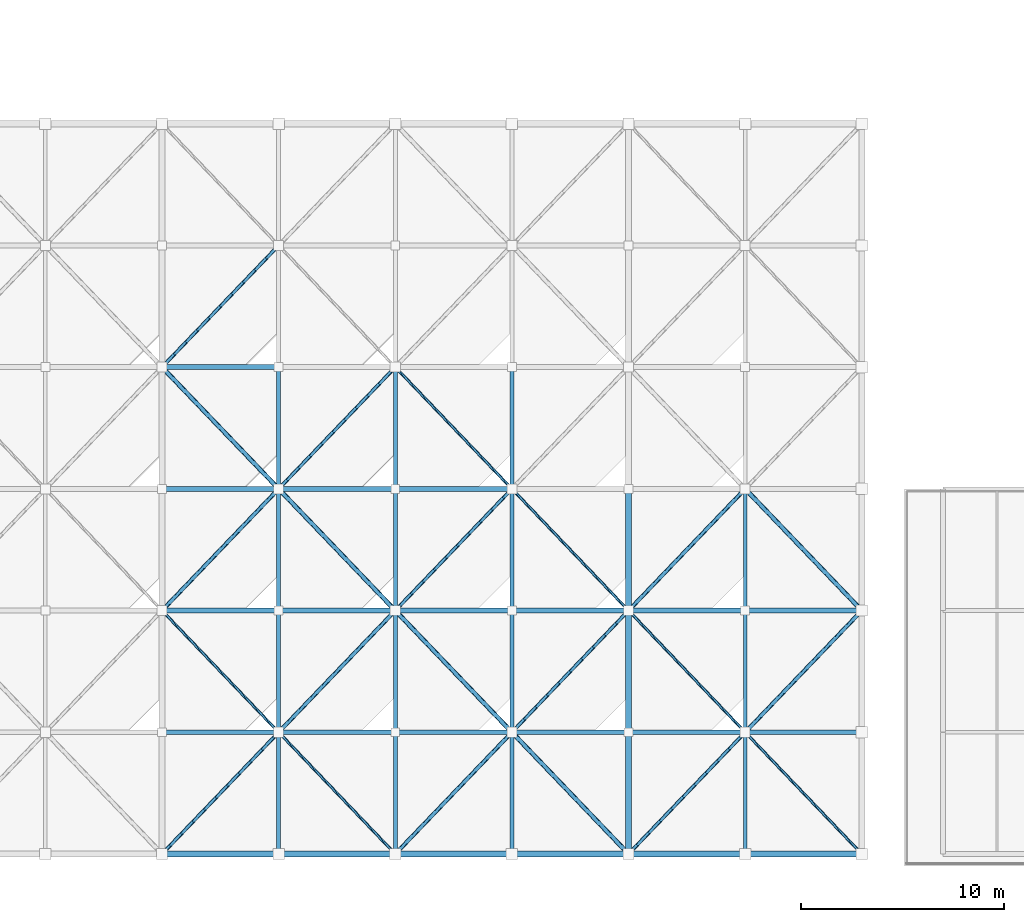
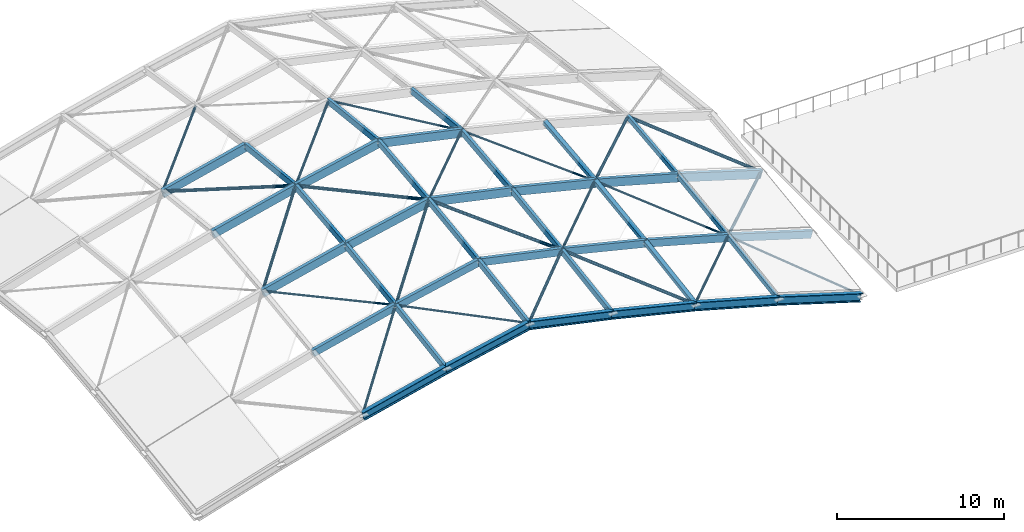
# One storey, part 12 of 62: 56 members, 6 beams.
"""IFC4 building model written with IfcOpenShell, lengths in metres."""

import ifcopenshell
import ifcopenshell.guid

model = None  # the IFC model being written
_history = None  # IfcOwnerHistory: only IFC2X3 demands one
_inside = {}  # id of a spatial element -> (the spatial element, [elements in it])
_under = {}  # id of a project, library or spatial element -> (it, [spatial elements below it])
_declared = {}  # id of a project -> (the project, [libraries it declares])
_typed = {}  # id of a type object -> (the type object, [elements of that type])
_made_of = {}  # id of a material, layer set ... -> (it, [elements and type objects made of it])


def new_model(schema):
    """Start an empty IFC model of exactly this schema.

    Asked for "IFC4X3", IfcOpenShell would pick the latest addendum, in which some entities
    have other attributes; the version numbers below select the first issue.
    IFC2X3 requires an IfcOwnerHistory on every rooted entity: one is made here for all.
    """
    global model, _history
    if schema == "IFC4X3":
        model = ifcopenshell.file(schema_version=(4, 3, 0, 0))
    else:
        model = ifcopenshell.file(schema=schema)
    _inside.clear()
    _under.clear()
    _declared.clear()
    _typed.clear()
    _made_of.clear()
    _history = None
    if model.schema == "IFC2X3":
        org = make("IfcOrganization", Name="unknown")
        user = make(
            "IfcPersonAndOrganization",
            ThePerson=make("IfcPerson", FamilyName="unknown"),
            TheOrganization=org,
        )
        app = make(
            "IfcApplication",
            ApplicationDeveloper=org,
            Version="unknown",
            ApplicationFullName="unknown",
            ApplicationIdentifier="unknown",
        )
        _history = make(
            "IfcOwnerHistory",
            OwningUser=user,
            OwningApplication=app,
            ChangeAction="ADDED",
            CreationDate=0,
        )
    return model


def make(cls, **values):
    """One entity of the class cls with the attributes given. An attribute that is None is left unset."""
    return model.create_entity(
        cls, **{name: value for name, value in values.items() if value is not None}
    )


def rooted(cls, **values):
    """An entity with a GlobalId (a new one), such as an element, a storey or a relation."""
    return make(cls, GlobalId=ifcopenshell.guid.new(), OwnerHistory=_history, **values)


def si_unit(unit_type, name, prefix=None):
    """IfcSIUnit, for example si_unit("LENGTHUNIT", "METRE", prefix="MILLI")."""
    return make("IfcSIUnit", UnitType=unit_type, Prefix=prefix, Name=name)


def assignment(units):
    """IfcUnitAssignment: the units of a project."""
    return None if units is None else make("IfcUnitAssignment", Units=units)


def point(xyz):
    """IfcCartesianPoint."""
    return None if xyz is None else make("IfcCartesianPoint", Coordinates=xyz)


def direction(xyz):
    """IfcDirection."""
    return None if xyz is None else make("IfcDirection", DirectionRatios=xyz)


def frame(location, z_axis=None, x_axis=None):
    """IfcAxis2Placement3D, a coordinate frame: its origin and axes. An axis left out is left unset."""
    return make(
        "IfcAxis2Placement3D",
        Location=point(location),
        Axis=direction(z_axis),
        RefDirection=direction(x_axis),
    )


def frame_2d(location, x_axis=None):
    """IfcAxis2Placement2D, a coordinate frame in the plane: its origin and x axis."""
    return make(
        "IfcAxis2Placement2D", Location=point(location), RefDirection=direction(x_axis)
    )


def origin():
    """The frame at (0, 0, 0) with its axes left unset."""
    return frame((0.0, 0.0, 0.0))


def origin_2d():
    """The frame at (0, 0) in the plane with its x axis left unset."""
    return frame_2d((0.0, 0.0))


def place(relative_to, where):
    """IfcLocalPlacement: puts the frame where relative to a parent placement (None: the world)."""
    return make(
        "IfcLocalPlacement", PlacementRelTo=relative_to, RelativePlacement=where
    )


def context(
    kind, dimensions, precision=None, world=None, true_north=None, identifier=None
):
    """IfcGeometricRepresentationContext, for example the 3D "Model" context."""
    return make(
        "IfcGeometricRepresentationContext",
        ContextIdentifier=identifier,
        ContextType=kind,
        CoordinateSpaceDimension=dimensions,
        Precision=precision,
        WorldCoordinateSystem=world,
        TrueNorth=true_north,
    )


def subcontext(parent, identifier, kind, view, scale=None):
    """IfcGeometricRepresentationSubContext, for example "Body" below "Model"."""
    return make(
        "IfcGeometricRepresentationSubContext",
        ContextIdentifier=identifier,
        ContextType=kind,
        ParentContext=parent,
        TargetScale=scale,
        TargetView=view,
    )


def project(units=None, contexts=None):
    """IfcProject with its units and contexts."""
    return rooted(
        "IfcProject",
        Name="project",
        RepresentationContexts=contexts,
        UnitsInContext=assignment(units),
    )


def spatial(cls, under=None, at=None, **own):
    """A site, building, storey or space (cls), placed at a placement, below another one or the project."""
    s = rooted(cls, ObjectPlacement=at, **own)
    if under is not None:
        _under.setdefault(under.id(), (under, []))[1].append(s)
    return s


def profile(cls, at=None, kind="AREA", **sizes):
    """A parametric profile (cls). Its sizes go by their IFC names, for example OverallWidth=200.0."""
    return make(cls, ProfileType=kind, Position=at, **sizes)


def rectangle(**sizes):
    """IfcRectangleProfileDef."""
    return profile("IfcRectangleProfileDef", **sizes)


def hollow_circle(**sizes):
    """IfcCircleHollowProfileDef."""
    return profile("IfcCircleHollowProfileDef", **sizes)


def i_section(**sizes):
    """IfcIShapeProfileDef."""
    return profile("IfcIShapeProfileDef", **sizes)


def extrude(swept, where, along, depth):
    """IfcExtrudedAreaSolid: the profile swept, set in the frame where, extruded along a direction by depth."""
    return make(
        "IfcExtrudedAreaSolid",
        SweptArea=swept,
        Position=where,
        ExtrudedDirection=direction(along),
        Depth=depth,
    )


def shape(context_of_items, identifier, shape_type, items):
    """IfcShapeRepresentation: the items that make up one representation, for example the "Body"."""
    return make(
        "IfcShapeRepresentation",
        ContextOfItems=context_of_items,
        RepresentationIdentifier=identifier,
        RepresentationType=shape_type,
        Items=items,
    )


def material(Name=None, Category=None):
    """IfcMaterial."""
    return make("IfcMaterial", Name=Name, Category=Category)


def material_profile(
    of_material, cross_section, Name=None, Category=None, Priority=None
):
    """IfcMaterialProfile: a cross section and its material."""
    return make(
        "IfcMaterialProfile",
        Name=Name,
        Material=of_material,
        Profile=cross_section,
        Priority=Priority,
        Category=Category,
    )


def profile_set(profiles, Name=None, composite=None):
    """IfcMaterialProfileSet."""
    return make(
        "IfcMaterialProfileSet",
        Name=Name,
        MaterialProfiles=profiles,
        CompositeProfile=composite,
    )


def made_of(thing, what):
    """Note that an element or type object is made of a material, layer set ...; save() writes the relation."""
    if what is not None:
        _made_of.setdefault(what.id(), (what, []))[1].append(thing)
    return thing


def type_object(cls, material=None, **own):
    """A type object (cls), such as IfcWallType, which elements share."""
    return made_of(rooted(cls, **own), material)


def element(
    cls,
    number,
    at=None,
    inside=None,
    cuts=None,
    type_object=None,
    material=None,
    context=None,
    identifier="Body",
    shape_type=None,
    held_by="IfcProductDefinitionShape",
    body=None,
    shapes=None,
    **own,
):
    """One element of the class cls, such as IfcWall. Its Tag is "e" and its number.

    at: its placement. inside: the storey or other place that contains it. cuts: it is an
    opening in that element (IfcRelVoidsElement). A single representation is given by context,
    identifier, shape_type and body (its items); several are given by shapes. held_by: the class
    of the entity that holds the representations. save() writes the other relations.
    """
    e = rooted(cls, Tag="e%d" % number, ObjectPlacement=at, **own)
    if body is not None:
        shapes = [shape(context, identifier, shape_type, body)]
    if shapes is not None:
        e.Representation = make(held_by, Representations=shapes)
    if inside is not None:
        _inside.setdefault(inside.id(), (inside, []))[1].append(e)
    if cuts is not None:
        rooted(
            "IfcRelVoidsElement", RelatingBuildingElement=cuts, RelatedOpeningElement=e
        )
    if type_object is not None:
        _typed.setdefault(type_object.id(), (type_object, []))[1].append(e)
    return made_of(e, material)


def aggregate(whole, parts):
    """IfcRelAggregates: a whole, such as a stair, and the parts it consists of."""
    return rooted("IfcRelAggregates", RelatingObject=whole, RelatedObjects=parts)


def save(model, path):
    """Write the relations noted so far, then the file.

    IfcRelAggregates (storeys below a building ...), IfcRelContainedInSpatialStructure (elements
    in a storey), IfcRelDefinesByType, IfcRelAssociatesMaterial and IfcRelDeclares: one each for
    every whole, place, type object, material and project.
    """
    for whole, parts in _under.values():
        aggregate(whole, parts)
    for where, things in _inside.values():
        rooted(
            "IfcRelContainedInSpatialStructure",
            RelatedElements=things,
            RelatingStructure=where,
        )
    for kind, things in _typed.values():
        rooted("IfcRelDefinesByType", RelatedObjects=things, RelatingType=kind)
    for what, things in _made_of.values():
        rooted("IfcRelAssociatesMaterial", RelatedObjects=things, RelatingMaterial=what)
    for by, libraries in _declared.values():
        rooted("IfcRelDeclares", RelatingContext=by, RelatedDefinitions=libraries)
    model.write(path)


model = new_model("IFC4")

# Units and contexts
model_context = context("Model", 3, precision=1e-05, world=origin(), true_north=direction((0.0, 1.0)))
body_context = subcontext(model_context, "Body", "Model", "MODEL_VIEW")
ifc_project = project(units=[si_unit("LENGTHUNIT", "METRE"), si_unit("AREAUNIT", "SQUARE_METRE"), si_unit("VOLUMEUNIT", "CUBIC_METRE"), si_unit("PLANEANGLEUNIT", "RADIAN"), si_unit("MASSUNIT", "GRAM", prefix="KILO")], contexts=[model_context])

# Site, building, storey
site_placement = place(None, origin())
site = spatial("IfcSite", under=ifc_project, at=site_placement, CompositionType="ELEMENT")
building_placement = place(site_placement, origin())
building = spatial("IfcBuilding", under=site, at=building_placement, Name="Cymarion Research Institute", CompositionType="ELEMENT")
storey_placement = place(building_placement, frame((0.0, 0.0, 18.300048828125)))
storey = spatial("IfcBuildingStorey", under=building, at=storey_placement, Name="L04", CompositionType="ELEMENT", Elevation=18.300048828125)

# Beams
ifc_material_1 = material(Name="Steel S355", Category="steel")
ifc_material_profile_1 = material_profile(ifc_material_1, i_section(OverallWidth=0.300048828125, OverallDepth=0.60009765625, WebThickness=0.015380859375, FlangeThickness=0.030029296875, FilletRadius=0.027099609375, at=origin_2d()), Name="HEB 600")
ifc_profile_set_1 = profile_set([ifc_material_profile_1], Name="Steel S355")
beam_type = type_object("IfcBeamType", Name="SPANDREL BEAM SPB01 HEB 600", PredefinedType="SPANDREL", material=ifc_profile_set_1)
beam_1_placement = place(storey_placement, frame((68.10791015625, 5.5, 3.137939453125), z_axis=(0.971468293593, 0.0, 0.237169463766), x_axis=(0.0, 1.0, 0.0)))
element("IfcBeam", 1, at=beam_1_placement, inside=storey, type_object=beam_type, Name="Gridshell perimeter thrust ring beam X 3", PredefinedType="SPANDREL", context=body_context, shape_type="SweptSolid", body=[
    extrude(i_section(OverallWidth=0.300048828125, OverallDepth=0.60009765625, WebThickness=0.015380859375, FlangeThickness=0.030029296875, FilletRadius=0.027099609375, at=origin_2d()), origin(), (0.0, 0.0, 1.0), 5.902587890625),
])
for number, where, z_axis, x_axis, name in (
    (2, (73.85791015625, 5.5, 4.537841796875), (0.97740789229, 0.0, 0.211361803761), (0.0, 1.0, 0.0), "Gridshell perimeter thrust ring beam X 4"),
    (3, (79.60791015625, 5.5, 5.77783203125), (0.97740789229, 0.0, -0.211361803761), (0.0, 1.0, 0.0), "Gridshell perimeter thrust ring beam X 5"),
):
    element("IfcBeam", number, at=place(storey_placement, frame(where, z_axis=z_axis, x_axis=x_axis)), inside=storey, type_object=beam_type, Name=name, PredefinedType="SPANDREL", context=body_context, shape_type="SweptSolid", body=[
        extrude(i_section(OverallWidth=0.300048828125, OverallDepth=0.60009765625, WebThickness=0.015380859375, FlangeThickness=0.030029296875, FilletRadius=0.027099609375, at=origin_2d()), origin(), (0.0, 0.0, 1.0), 5.86669921875),
    ])
beam_2_placement = place(storey_placement, frame((85.35791015625, 5.5, 4.537841796875), z_axis=(0.971468293593, 0.0, -0.237169463766), x_axis=(0.0, 1.0, 0.0)))
element("IfcBeam", 4, at=beam_2_placement, inside=storey, type_object=beam_type, Name="Gridshell perimeter thrust ring beam X 6", PredefinedType="SPANDREL", context=body_context, shape_type="SweptSolid", body=[
    extrude(i_section(OverallWidth=0.300048828125, OverallDepth=0.60009765625, WebThickness=0.015380859375, FlangeThickness=0.030029296875, FilletRadius=0.027099609375, at=origin_2d()), origin(), (0.0, 0.0, 1.0), 5.902587890625),
])
beam_3_placement = place(storey_placement, frame((91.10791015625, 5.5, 3.137939453125), z_axis=(0.963201733469, 0.0, -0.268779501901), x_axis=(0.0, 1.0, 0.0)))
element("IfcBeam", 5, at=beam_3_placement, inside=storey, type_object=beam_type, Name="Gridshell perimeter thrust ring beam X 7", PredefinedType="SPANDREL", context=body_context, shape_type="SweptSolid", body=[
    extrude(i_section(OverallWidth=0.300048828125, OverallDepth=0.60009765625, WebThickness=0.015380859375, FlangeThickness=0.030029296875, FilletRadius=0.027099609375, at=origin_2d()), origin(), (0.0, 0.0, 1.0), 5.953125),
])
beam_4_placement = place(storey_placement, frame((96.85791015625, 5.5, 1.537841796875), z_axis=(0.955982073369, 0.0, -0.293425076294), x_axis=(0.0, 1.0, 0.0)))
element("IfcBeam", 6, at=beam_4_placement, inside=storey, type_object=beam_type, Name="Gridshell perimeter thrust ring beam X 8", PredefinedType="SPANDREL", context=body_context, shape_type="SweptSolid", body=[
    extrude(i_section(OverallWidth=0.300048828125, OverallDepth=0.60009765625, WebThickness=0.015380859375, FlangeThickness=0.030029296875, FilletRadius=0.027099609375, at=origin_2d()), origin(), (0.0, 0.0, 1.0), 5.998046875),
])

# Members
ifc_material_profile_2 = material_profile(ifc_material_1, hollow_circle(Radius=0.096923828125, WallThickness=0.010009765625, at=origin_2d()), Name="CHS 193.7x10")
ifc_profile_set_2 = profile_set([ifc_material_profile_2], Name="Steel S355")
member_type_1 = type_object("IfcMemberType", Name="STRUCTURAL MEMBER BR01 CHS 193.7x10", PredefinedType="BRACE", material=ifc_profile_set_2)
member_1_placement = place(storey_placement, frame((68.110107421875, 17.510498046875, 5.00146484375), z_axis=(0.671567342391, 0.700783340371, 0.240624218423), x_axis=(-0.721996795988, 0.691896398736, 0.0)))
element("IfcMember", 7, at=member_1_placement, inside=storey, type_object=member_type_1, Name="Gridshell tubular diagonal brace BR01 #97", PredefinedType="BRACE", context=body_context, shape_type="SweptSolid", body=[
    extrude(hollow_circle(Radius=0.096923828125, WallThickness=0.010009765625, at=origin_2d()), origin(), (0.0, 0.0, 1.0), 8.531982421875),
])
member_2_placement = place(storey_placement, frame((73.860107421875, 11.510498046875, 5.591552734375), z_axis=(0.671761151962, 0.700985581471, 0.239491480611), x_axis=(-0.721996795988, 0.691896398736, 0.0)))
element("IfcMember", 8, at=member_2_placement, inside=storey, type_object=member_type_1, Name="Gridshell tubular diagonal brace BR01 #102", PredefinedType="BRACE", context=body_context, shape_type="SweptSolid", body=[
    extrude(hollow_circle(Radius=0.096923828125, WallThickness=0.010009765625, at=origin_2d()), origin(), (0.0, 0.0, 1.0), 8.529541015625),
])
member_3_placement = place(storey_placement, frame((79.6103515625, 5.5107421875, 5.8974609375), z_axis=(0.691414384273, 0.721496375424, -0.037271027234), x_axis=(-0.721998024065, 0.69189511723, 0.0)))
element("IfcMember", 9, at=member_3_placement, inside=storey, type_object=member_type_1, Name="Gridshell tubular diagonal brace BR01 #107", PredefinedType="BRACE", context=body_context, shape_type="SweptSolid", body=[
    extrude(hollow_circle(Radius=0.096923828125, WallThickness=0.010009765625, at=origin_2d()), origin(), (0.0, 0.0, 1.0), 8.286376953125),
])
member_4_placement = place(storey_placement, frame((91.1103515625, 17.5107421875, 4.996337890625), z_axis=(0.687509660129, 0.717421764914, -0.112412092126), x_axis=(-0.721998024065, 0.69189511723, 0.0)))
element("IfcMember", 10, at=member_4_placement, inside=storey, type_object=member_type_1, Name="Gridshell tubular diagonal brace BR01 #121", PredefinedType="BRACE", context=body_context, shape_type="SweptSolid", body=[
    extrude(hollow_circle(Radius=0.096923828125, WallThickness=0.010009765625, at=origin_2d()), origin(), (0.0, 0.0, 1.0), 8.333251953125),
])
member_5_placement = place(storey_placement, frame((96.8603515625, 11.5107421875, 2.586181640625), z_axis=(0.687418638492, 0.717326783116, -0.113568929196), x_axis=(-0.721998024065, 0.69189511723, 0.0)))
element("IfcMember", 11, at=member_5_placement, inside=storey, type_object=member_type_1, Name="Gridshell tubular diagonal brace BR01 #126", PredefinedType="BRACE", context=body_context, shape_type="SweptSolid", body=[
    extrude(hollow_circle(Radius=0.096923828125, WallThickness=0.010009765625, at=origin_2d()), origin(), (0.0, 0.0, 1.0), 8.33447265625),
])
ifc_material_profile_3 = material_profile(ifc_material_1, hollow_circle(Radius=0.109619140625, WallThickness=0.010009765625, at=origin_2d()), Name="CHS 219.1x10")
ifc_profile_set_3 = profile_set([ifc_material_profile_3], Name="Steel S355")
member_type_2 = type_object("IfcMemberType", Name="STRUCTURAL MEMBER BR02 CHS 219.1x10", PredefinedType="BRACE", material=ifc_profile_set_3)
member_6_placement = place(storey_placement, frame((73.83984375, 23.510498046875, 7.054443359375), z_axis=(-0.671567342391, 0.700783340371, -0.240624218423), x_axis=(-0.721996795988, -0.691896398736, 0.0)))
element("IfcMember", 12, at=member_6_placement, inside=storey, type_object=member_type_2, Name="Gridshell tubular diagonal brace BR02 #98", PredefinedType="BRACE", context=body_context, shape_type="SweptSolid", body=[
    extrude(hollow_circle(Radius=0.109619140625, WallThickness=0.010009765625, at=origin_2d()), origin(), (0.0, 0.0, 1.0), 8.531982421875),
])
member_7_placement = place(storey_placement, frame((79.589599609375, 17.5107421875, 7.636962890625), z_axis=(-0.690214940886, 0.720244746769, -0.069647972899), x_axis=(-0.721998024065, -0.69189511723, 0.0)))
element("IfcMember", 13, at=member_7_placement, inside=storey, type_object=member_type_2, Name="Gridshell tubular diagonal brace BR02 #103", PredefinedType="BRACE", context=body_context, shape_type="SweptSolid", body=[
    extrude(hollow_circle(Radius=0.109619140625, WallThickness=0.010009765625, at=origin_2d()), origin(), (0.0, 0.0, 1.0), 8.30078125),
])
member_8_placement = place(storey_placement, frame((85.33984375, 11.510498046875, 5.591552734375), z_axis=(-0.671761151962, 0.700985581471, 0.239491480611), x_axis=(-0.721996795988, -0.691896398736, 0.0)))
element("IfcMember", 14, at=member_8_placement, inside=storey, type_object=member_type_2, Name="Gridshell tubular diagonal brace BR02 #108", PredefinedType="BRACE", context=body_context, shape_type="SweptSolid", body=[
    extrude(hollow_circle(Radius=0.109619140625, WallThickness=0.010009765625, at=origin_2d()), origin(), (0.0, 0.0, 1.0), 8.529541015625),
])
member_9_placement = place(storey_placement, frame((91.090087890625, 5.510498046875, 3.261962890625), z_axis=(-0.666218486151, 0.695172165566, 0.269978867566), x_axis=(-0.721982068835, -0.691911766254, 0.0)))
element("IfcMember", 15, at=member_9_placement, inside=storey, type_object=member_type_2, Name="Gridshell tubular diagonal brace BR02 #113", PredefinedType="BRACE", context=body_context, shape_type="SweptSolid", body=[
    extrude(hollow_circle(Radius=0.109619140625, WallThickness=0.010009765625, at=origin_2d()), origin(), (0.0, 0.0, 1.0), 8.600830078125),
])
member_10_placement = place(storey_placement, frame((102.590087890625, 17.510498046875, 1.64208984375), z_axis=(-0.66431673946, 0.693187769467, 0.27959611216), x_axis=(-0.721982068835, -0.691911766254, 0.0)))
element("IfcMember", 16, at=member_10_placement, inside=storey, type_object=member_type_2, Name="Gridshell tubular diagonal brace BR02 #127", PredefinedType="BRACE", context=body_context, shape_type="SweptSolid", body=[
    extrude(hollow_circle(Radius=0.109619140625, WallThickness=0.010009765625, at=origin_2d()), origin(), (0.0, 0.0, 1.0), 8.62548828125),
])
ifc_material_profile_4 = material_profile(ifc_material_1, hollow_circle(Radius=0.084228515625, WallThickness=0.008056640625, at=origin_2d()), Name="CHS 168.3x8")
ifc_profile_set_4 = profile_set([ifc_material_profile_4], Name="Steel S355")
member_type_3 = type_object("IfcMemberType", Name="STRUCTURAL MEMBER BR05 CHS 168.3x8", PredefinedType="BRACE", material=ifc_profile_set_4)
member_11_placement = place(storey_placement, frame((68.110107421875, 5.510498046875, 3.261962890625), z_axis=(0.666218486151, 0.695172165566, 0.269978867566), x_axis=(-0.721982068835, 0.691911766254, 0.0)))
element("IfcMember", 17, at=member_11_placement, inside=storey, type_object=member_type_3, Name="Gridshell tubular diagonal brace BR05 #95", PredefinedType="BRACE", context=body_context, shape_type="SweptSolid", body=[
    extrude(hollow_circle(Radius=0.084228515625, WallThickness=0.008056640625, at=origin_2d()), origin(), (0.0, 0.0, 1.0), 8.600830078125),
])
member_12_placement = place(storey_placement, frame((68.1103515625, 29.5107421875, 4.9990234375), z_axis=(0.690157914164, 0.720185238934, 0.070818607291), x_axis=(-0.721998024065, 0.69189511723, 0.0)))
element("IfcMember", 18, at=member_12_placement, inside=storey, type_object=member_type_3, Name="Gridshell tubular diagonal brace BR05 #99", PredefinedType="BRACE", context=body_context, shape_type="SweptSolid", body=[
    extrude(hollow_circle(Radius=0.084228515625, WallThickness=0.008056640625, at=origin_2d()), origin(), (0.0, 0.0, 1.0), 8.30126953125),
])
for number, where, z_axis, x_axis, name in (
    (19, (73.8603515625, 23.5107421875, 7.058837890625), (0.690214940886, 0.720244746769, 0.069647972899), (-0.721998024065, 0.69189511723, 0.0), "Gridshell tubular diagonal brace BR05 #104"),
    (20, (79.6103515625, 17.5107421875, 7.636962890625), (0.690214940886, 0.720244746769, -0.069647972899), (-0.721998024065, 0.69189511723, 0.0), "Gridshell tubular diagonal brace BR05 #109"),
):
    element("IfcMember", number, at=place(storey_placement, frame(where, z_axis=z_axis, x_axis=x_axis)), inside=storey, type_object=member_type_3, Name=name, PredefinedType="BRACE", context=body_context, shape_type="SweptSolid", body=[
        extrude(hollow_circle(Radius=0.084228515625, WallThickness=0.008056640625, at=origin_2d()), origin(), (0.0, 0.0, 1.0), 8.30078125),
    ])
member_13_placement = place(storey_placement, frame((85.3603515625, 11.5107421875, 5.5869140625), z_axis=(0.690157914164, 0.720185238934, -0.070818607291), x_axis=(-0.721998024065, 0.69189511723, 0.0)))
element("IfcMember", 21, at=member_13_placement, inside=storey, type_object=member_type_3, Name="Gridshell tubular diagonal brace BR05 #114", PredefinedType="BRACE", context=body_context, shape_type="SweptSolid", body=[
    extrude(hollow_circle(Radius=0.084228515625, WallThickness=0.008056640625, at=origin_2d()), origin(), (0.0, 0.0, 1.0), 8.30126953125),
])
member_14_placement = place(storey_placement, frame((91.1103515625, 5.5107421875, 3.2568359375), z_axis=(0.689656506381, 0.719662015948, -0.080377148547), x_axis=(-0.721998024065, 0.69189511723, 0.0)))
element("IfcMember", 22, at=member_14_placement, inside=storey, type_object=member_type_3, Name="Gridshell tubular diagonal brace BR05 #119", PredefinedType="BRACE", context=body_context, shape_type="SweptSolid", body=[
    extrude(hollow_circle(Radius=0.084228515625, WallThickness=0.008056640625, at=origin_2d()), origin(), (0.0, 0.0, 1.0), 8.307373046875),
])
ifc_material_profile_5 = material_profile(ifc_material_1, hollow_circle(Radius=0.06982421875, WallThickness=0.008056640625, at=origin_2d()), Name="CHS 139.7x8")
ifc_profile_set_5 = profile_set([ifc_material_profile_5], Name="Steel S355")
member_type_4 = type_object("IfcMemberType", Name="STRUCTURAL MEMBER BR06 CHS 139.7x8", PredefinedType="BRACE", material=ifc_profile_set_5)
member_15_placement = place(storey_placement, frame((73.839599609375, 11.5107421875, 5.5869140625), z_axis=(-0.690157914164, 0.720185238934, -0.070818607291), x_axis=(-0.721998024065, -0.69189511723, 0.0)))
element("IfcMember", 23, at=member_15_placement, inside=storey, type_object=member_type_4, Name="Gridshell tubular diagonal brace BR06 #96", PredefinedType="BRACE", context=body_context, shape_type="SweptSolid", body=[
    extrude(hollow_circle(Radius=0.06982421875, WallThickness=0.008056640625, at=origin_2d()), origin(), (0.0, 0.0, 1.0), 8.30126953125),
])
member_16_placement = place(storey_placement, frame((79.589599609375, 5.5107421875, 5.8974609375), z_axis=(-0.691414384273, 0.721496375424, -0.037271027234), x_axis=(-0.721998024065, -0.69189511723, 0.0)))
element("IfcMember", 24, at=member_16_placement, inside=storey, type_object=member_type_4, Name="Gridshell tubular diagonal brace BR06 #101", PredefinedType="BRACE", context=body_context, shape_type="SweptSolid", body=[
    extrude(hollow_circle(Radius=0.06982421875, WallThickness=0.008056640625, at=origin_2d()), origin(), (0.0, 0.0, 1.0), 8.286376953125),
])
member_17_placement = place(storey_placement, frame((85.339599609375, 23.5107421875, 7.058837890625), z_axis=(-0.690214940886, 0.720244746769, 0.069647972899), x_axis=(-0.721998024065, -0.69189511723, 0.0)))
element("IfcMember", 25, at=member_17_placement, inside=storey, type_object=member_type_4, Name="Gridshell tubular diagonal brace BR06 #110", PredefinedType="BRACE", context=body_context, shape_type="SweptSolid", body=[
    extrude(hollow_circle(Radius=0.06982421875, WallThickness=0.008056640625, at=origin_2d()), origin(), (0.0, 0.0, 1.0), 8.30078125),
])
member_18_placement = place(storey_placement, frame((91.08984375, 17.510498046875, 5.00146484375), z_axis=(-0.671567342391, 0.700783340371, 0.240624218423), x_axis=(-0.721996795988, -0.691896398736, 0.0)))
element("IfcMember", 26, at=member_18_placement, inside=storey, type_object=member_type_4, Name="Gridshell tubular diagonal brace BR06 #115", PredefinedType="BRACE", context=body_context, shape_type="SweptSolid", body=[
    extrude(hollow_circle(Radius=0.06982421875, WallThickness=0.008056640625, at=origin_2d()), origin(), (0.0, 0.0, 1.0), 8.531982421875),
])
member_19_placement = place(storey_placement, frame((96.840087890625, 11.510498046875, 2.592041015625), z_axis=(-0.664531948768, 0.693412331714, 0.278525810823), x_axis=(-0.721982068835, -0.691911766254, 0.0)))
element("IfcMember", 27, at=member_19_placement, inside=storey, type_object=member_type_4, Name="Gridshell tubular diagonal brace BR06 #120", PredefinedType="BRACE", context=body_context, shape_type="SweptSolid", body=[
    extrude(hollow_circle(Radius=0.06982421875, WallThickness=0.008056640625, at=origin_2d()), origin(), (0.0, 0.0, 1.0), 8.62255859375),
])
member_20_placement = place(storey_placement, frame((102.590087890625, 5.51025390625, -0.097412109375), z_axis=(-0.658273683226, 0.686908910979, 0.307947894927), x_axis=(-0.721995568113, -0.691897680026, 0.0)))
element("IfcMember", 28, at=member_20_placement, inside=storey, type_object=member_type_4, Name="Gridshell tubular diagonal brace BR06 #125", PredefinedType="BRACE", context=body_context, shape_type="SweptSolid", body=[
    extrude(hollow_circle(Radius=0.06982421875, WallThickness=0.008056640625, at=origin_2d()), origin(), (0.0, 0.0, 1.0), 8.704833984375),
])
ifc_material_2 = material(Name="Glulam GL28h", Category="wood")
ifc_material_profile_6 = material_profile(ifc_material_2, rectangle(XDim=0.239990234375, YDim=0.60009765625, at=origin_2d()), Name="GL28h 240x600")
ifc_profile_set_6 = profile_set([ifc_material_profile_6], Name="Glulam GL28h")
member_type_5 = type_object("IfcMemberType", Name="STRUCTURAL MEMBER GR01 GL28h 240x600", PredefinedType="CHORD", material=ifc_profile_set_6)
member_21_placement = place(storey_placement, frame((68.10791015625, 17.5, 4.8779296875), z_axis=(0.971468293593, 0.0, 0.237169463766), x_axis=(0.0, 1.0, 0.0)))
element("IfcMember", 29, at=member_21_placement, inside=storey, type_object=member_type_5, Name="Gridshell glulam longitudinal rib GR01 #11", PredefinedType="CHORD", context=body_context, shape_type="SweptSolid", body=[
    extrude(rectangle(XDim=0.239990234375, YDim=0.60009765625, at=origin_2d()), origin(), (0.0, 0.0, 1.0), 5.902587890625),
])
for number, where, z_axis, x_axis, name in (
    (30, (73.85791015625, 17.5, 6.27783203125), (0.977399294484, 0.0, 0.211401558989), (0.0, 1.0, 0.0), "Gridshell glulam longitudinal rib GR01 #12"),
    (31, (79.60791015625, 17.5, 7.51806640625), (0.977399294484, 0.0, -0.211401558989), (0.0, 1.0, 0.0), "Gridshell glulam longitudinal rib GR01 #13"),
):
    element("IfcMember", number, at=place(storey_placement, frame(where, z_axis=z_axis, x_axis=x_axis)), inside=storey, type_object=member_type_5, Name=name, PredefinedType="CHORD", context=body_context, shape_type="SweptSolid", body=[
        extrude(rectangle(XDim=0.239990234375, YDim=0.60009765625, at=origin_2d()), origin(), (0.0, 0.0, 1.0), 5.86669921875),
    ])
member_22_placement = place(storey_placement, frame((85.35791015625, 17.5, 6.27783203125), z_axis=(0.971468293593, 0.0, -0.237169463766), x_axis=(0.0, 1.0, 0.0)))
element("IfcMember", 32, at=member_22_placement, inside=storey, type_object=member_type_5, Name="Gridshell glulam longitudinal rib GR01 #14", PredefinedType="CHORD", context=body_context, shape_type="SweptSolid", body=[
    extrude(rectangle(XDim=0.239990234375, YDim=0.60009765625, at=origin_2d()), origin(), (0.0, 0.0, 1.0), 5.902587890625),
])
member_23_placement = place(storey_placement, frame((91.10791015625, 17.5, 4.8779296875), z_axis=(0.963201733469, 0.0, -0.268779501901), x_axis=(0.0, 1.0, 0.0)))
element("IfcMember", 33, at=member_23_placement, inside=storey, type_object=member_type_5, Name="Gridshell glulam longitudinal rib GR01 #15", PredefinedType="CHORD", context=body_context, shape_type="SweptSolid", body=[
    extrude(rectangle(XDim=0.239990234375, YDim=0.60009765625, at=origin_2d()), origin(), (0.0, 0.0, 1.0), 5.953125),
])
member_24_placement = place(storey_placement, frame((96.85791015625, 17.5, 3.27783203125), z_axis=(0.955993490233, 0.0, -0.293387877447), x_axis=(0.0, 1.0, 0.0)))
element("IfcMember", 34, at=member_24_placement, inside=storey, type_object=member_type_5, Name="Gridshell glulam longitudinal rib GR01 #16", PredefinedType="CHORD", context=body_context, shape_type="SweptSolid", body=[
    extrude(rectangle(XDim=0.239990234375, YDim=0.60009765625, at=origin_2d()), origin(), (0.0, 0.0, 1.0), 5.998046875),
])
member_25_placement = place(storey_placement, frame((68.10791015625, 23.5, 5.537841796875), z_axis=(0.971458762999, 0.0, 0.237208498565), x_axis=(0.0, 1.0, 0.0)))
element("IfcMember", 35, at=member_25_placement, inside=storey, type_object=member_type_5, Name="Gridshell glulam longitudinal rib GR01 #19", PredefinedType="CHORD", context=body_context, shape_type="SweptSolid", body=[
    extrude(rectangle(XDim=0.239990234375, YDim=0.60009765625, at=origin_2d()), origin(), (0.0, 0.0, 1.0), 5.902587890625),
])
for number, where, z_axis, x_axis, name in (
    (36, (73.85791015625, 23.5, 6.93798828125), (0.97740789229, 0.0, 0.211361803761), (0.0, 1.0, 0.0), "Gridshell glulam longitudinal rib GR01 #20"),
    (37, (79.60791015625, 23.5, 8.177978515625), (0.97740789229, 0.0, -0.211361803761), (0.0, 1.0, 0.0), "Gridshell glulam longitudinal rib GR01 #21"),
):
    element("IfcMember", number, at=place(storey_placement, frame(where, z_axis=z_axis, x_axis=x_axis)), inside=storey, type_object=member_type_5, Name=name, PredefinedType="CHORD", context=body_context, shape_type="SweptSolid", body=[
        extrude(rectangle(XDim=0.239990234375, YDim=0.60009765625, at=origin_2d()), origin(), (0.0, 0.0, 1.0), 5.86669921875),
    ])
member_26_placement = place(storey_placement, frame((68.10791015625, 29.5, 4.8779296875), z_axis=(0.971468293593, 0.0, 0.237169463766), x_axis=(0.0, 1.0, 0.0)))
element("IfcMember", 38, at=member_26_placement, inside=storey, type_object=member_type_5, Name="Gridshell glulam longitudinal rib GR01 #27", PredefinedType="CHORD", context=body_context, shape_type="SweptSolid", body=[
    extrude(rectangle(XDim=0.239990234375, YDim=0.60009765625, at=origin_2d()), origin(), (0.0, 0.0, 1.0), 5.902587890625),
])
ifc_material_profile_7 = material_profile(ifc_material_2, rectangle(XDim=0.239990234375, YDim=0.52001953125, at=origin_2d()), Name="GL28h 240x520")
ifc_profile_set_7 = profile_set([ifc_material_profile_7], Name="Glulam GL28h")
member_type_6 = type_object("IfcMemberType", Name="STRUCTURAL MEMBER GR02 GL28h 240x520", PredefinedType="CHORD", material=ifc_profile_set_7)
member_27_placement = place(storey_placement, frame((68.10791015625, 11.5, 4.10791015625), z_axis=(0.971458762999, 0.0, 0.237208498565), x_axis=(0.0, 1.0, 0.0)))
element("IfcMember", 39, at=member_27_placement, inside=storey, type_object=member_type_6, Name="Gridshell glulam longitudinal rib GR02 #3", PredefinedType="CHORD", context=body_context, shape_type="SweptSolid", body=[
    extrude(rectangle(XDim=0.239990234375, YDim=0.52001953125, at=origin_2d()), origin(), (0.0, 0.0, 1.0), 5.902587890625),
])
for number, where, z_axis, x_axis, name in (
    (40, (73.85791015625, 11.5, 5.508056640625), (0.97740789229, 0.0, 0.211361803761), (0.0, 1.0, 0.0), "Gridshell glulam longitudinal rib GR02 #4"),
    (41, (79.60791015625, 11.5, 6.748046875), (0.97740789229, 0.0, -0.211361803761), (0.0, 1.0, 0.0), "Gridshell glulam longitudinal rib GR02 #5"),
):
    element("IfcMember", number, at=place(storey_placement, frame(where, z_axis=z_axis, x_axis=x_axis)), inside=storey, type_object=member_type_6, Name=name, PredefinedType="CHORD", context=body_context, shape_type="SweptSolid", body=[
        extrude(rectangle(XDim=0.239990234375, YDim=0.52001953125, at=origin_2d()), origin(), (0.0, 0.0, 1.0), 5.86669921875),
    ])
member_28_placement = place(storey_placement, frame((85.35791015625, 11.5, 5.508056640625), z_axis=(0.971458762999, 0.0, -0.237208498565), x_axis=(0.0, 1.0, 0.0)))
element("IfcMember", 42, at=member_28_placement, inside=storey, type_object=member_type_6, Name="Gridshell glulam longitudinal rib GR02 #6", PredefinedType="CHORD", context=body_context, shape_type="SweptSolid", body=[
    extrude(rectangle(XDim=0.239990234375, YDim=0.52001953125, at=origin_2d()), origin(), (0.0, 0.0, 1.0), 5.902587890625),
])
member_29_placement = place(storey_placement, frame((91.10791015625, 11.5, 4.10791015625), z_axis=(0.963212349866, 0.0, -0.268741453939), x_axis=(0.0, 1.0, 0.0)))
element("IfcMember", 43, at=member_29_placement, inside=storey, type_object=member_type_6, Name="Gridshell glulam longitudinal rib GR02 #7", PredefinedType="CHORD", context=body_context, shape_type="SweptSolid", body=[
    extrude(rectangle(XDim=0.239990234375, YDim=0.52001953125, at=origin_2d()), origin(), (0.0, 0.0, 1.0), 5.953125),
])
member_30_placement = place(storey_placement, frame((96.85791015625, 11.5, 2.508056640625), z_axis=(0.955982073369, 0.0, -0.293425076294), x_axis=(0.0, 1.0, 0.0)))
element("IfcMember", 44, at=member_30_placement, inside=storey, type_object=member_type_6, Name="Gridshell glulam longitudinal rib GR02 #8", PredefinedType="CHORD", context=body_context, shape_type="SweptSolid", body=[
    extrude(rectangle(XDim=0.239990234375, YDim=0.52001953125, at=origin_2d()), origin(), (0.0, 0.0, 1.0), 5.998046875),
])
ifc_material_profile_8 = material_profile(ifc_material_2, rectangle(XDim=0.199951171875, YDim=0.43994140625, at=origin_2d()), Name="GL28h 200x440")
ifc_profile_set_8 = profile_set([ifc_material_profile_8], Name="Glulam GL28h")
member_type_7 = type_object("IfcMemberType", Name="STRUCTURAL MEMBER GR03 GL28h 200x440", PredefinedType="PURLIN", material=ifc_profile_set_8)
member_31_placement = place(storey_placement, frame((73.85009765625, 5.508056640625, 4.617919921875), z_axis=(0.0, 0.988138910046, 0.15356267272), x_axis=(-1.0, 0.0, 0.0)))
element("IfcMember", 45, at=member_31_placement, inside=storey, type_object=member_type_7, Name="Gridshell glulam transverse purlin GR03 #53", PredefinedType="PURLIN", context=body_context, shape_type="SweptSolid", body=[
    extrude(rectangle(XDim=0.199951171875, YDim=0.43994140625, at=origin_2d()), origin(), (0.0, 0.0, 1.0), 6.0556640625),
])
member_32_placement = place(storey_placement, frame((73.85009765625, 11.508056640625, 5.5478515625), z_axis=(0.0, 0.990961079514, 0.134149688365), x_axis=(-1.0, 0.0, 0.0)))
element("IfcMember", 46, at=member_32_placement, inside=storey, type_object=member_type_7, Name="Gridshell glulam transverse purlin GR03 #54", PredefinedType="PURLIN", context=body_context, shape_type="SweptSolid", body=[
    extrude(rectangle(XDim=0.199951171875, YDim=0.43994140625, at=origin_2d()), origin(), (0.0, 0.0, 1.0), 6.03857421875),
])
for number, where, z_axis, x_axis, name in (
    (47, (73.85009765625, 17.508056640625, 6.35791015625), (0.0, 0.993969485748, 0.109657017114), (-1.0, 0.0, 0.0), "Gridshell glulam transverse purlin GR03 #55"),
    (48, (73.85009765625, 23.508056640625, 7.01806640625), (0.0, 0.993969485748, -0.109657017114), (-1.0, 0.0, 0.0), "Gridshell glulam transverse purlin GR03 #56"),
):
    element("IfcMember", number, at=place(storey_placement, frame(where, z_axis=z_axis, x_axis=x_axis)), inside=storey, type_object=member_type_7, Name=name, PredefinedType="PURLIN", context=body_context, shape_type="SweptSolid", body=[
        extrude(rectangle(XDim=0.199951171875, YDim=0.43994140625, at=origin_2d()), origin(), (0.0, 0.0, 1.0), 6.020263671875),
    ])
member_33_placement = place(storey_placement, frame((79.60009765625, 5.508056640625, 5.85791015625), z_axis=(0.0, 0.988138910046, 0.15356267272), x_axis=(-1.0, 0.0, 0.0)))
element("IfcMember", 49, at=member_33_placement, inside=storey, type_object=member_type_7, Name="Gridshell glulam transverse purlin GR03 #59", PredefinedType="PURLIN", context=body_context, shape_type="SweptSolid", body=[
    extrude(rectangle(XDim=0.199951171875, YDim=0.43994140625, at=origin_2d()), origin(), (0.0, 0.0, 1.0), 6.0556640625),
])
member_34_placement = place(storey_placement, frame((79.60009765625, 11.508056640625, 6.787841796875), z_axis=(0.0, 0.990961079514, 0.134149688365), x_axis=(-1.0, 0.0, 0.0)))
element("IfcMember", 50, at=member_34_placement, inside=storey, type_object=member_type_7, Name="Gridshell glulam transverse purlin GR03 #60", PredefinedType="PURLIN", context=body_context, shape_type="SweptSolid", body=[
    extrude(rectangle(XDim=0.199951171875, YDim=0.43994140625, at=origin_2d()), origin(), (0.0, 0.0, 1.0), 6.03857421875),
])
for number, where, z_axis, x_axis, name in (
    (51, (79.60009765625, 17.508056640625, 7.597900390625), (0.0, 0.993969485748, 0.109657017114), (-1.0, 0.0, 0.0), "Gridshell glulam transverse purlin GR03 #61"),
    (52, (79.60009765625, 23.508056640625, 8.258056640625), (0.0, 0.993969485748, -0.109657017114), (-1.0, 0.0, 0.0), "Gridshell glulam transverse purlin GR03 #62"),
):
    element("IfcMember", number, at=place(storey_placement, frame(where, z_axis=z_axis, x_axis=x_axis)), inside=storey, type_object=member_type_7, Name=name, PredefinedType="PURLIN", context=body_context, shape_type="SweptSolid", body=[
        extrude(rectangle(XDim=0.199951171875, YDim=0.43994140625, at=origin_2d()), origin(), (0.0, 0.0, 1.0), 6.020263671875),
    ])
member_35_placement = place(storey_placement, frame((85.35009765625, 5.508056640625, 4.617919921875), z_axis=(0.0, 0.988138910046, 0.15356267272), x_axis=(-1.0, 0.0, 0.0)))
element("IfcMember", 53, at=member_35_placement, inside=storey, type_object=member_type_7, Name="Gridshell glulam transverse purlin GR03 #65", PredefinedType="PURLIN", context=body_context, shape_type="SweptSolid", body=[
    extrude(rectangle(XDim=0.199951171875, YDim=0.43994140625, at=origin_2d()), origin(), (0.0, 0.0, 1.0), 6.0556640625),
])
member_36_placement = place(storey_placement, frame((85.35009765625, 11.508056640625, 5.5478515625), z_axis=(0.0, 0.990961079514, 0.134149688365), x_axis=(-1.0, 0.0, 0.0)))
element("IfcMember", 54, at=member_36_placement, inside=storey, type_object=member_type_7, Name="Gridshell glulam transverse purlin GR03 #66", PredefinedType="PURLIN", context=body_context, shape_type="SweptSolid", body=[
    extrude(rectangle(XDim=0.199951171875, YDim=0.43994140625, at=origin_2d()), origin(), (0.0, 0.0, 1.0), 6.03857421875),
])
for number, where, z_axis, x_axis, name in (
    (55, (85.35009765625, 17.508056640625, 6.35791015625), (0.0, 0.993969485748, 0.109657017114), (-1.0, 0.0, 0.0), "Gridshell glulam transverse purlin GR03 #67"),
    (56, (85.35009765625, 23.508056640625, 7.01806640625), (0.0, 0.993969485748, -0.109657017114), (-1.0, 0.0, 0.0), "Gridshell glulam transverse purlin GR03 #68"),
):
    element("IfcMember", number, at=place(storey_placement, frame(where, z_axis=z_axis, x_axis=x_axis)), inside=storey, type_object=member_type_7, Name=name, PredefinedType="PURLIN", context=body_context, shape_type="SweptSolid", body=[
        extrude(rectangle(XDim=0.199951171875, YDim=0.43994140625, at=origin_2d()), origin(), (0.0, 0.0, 1.0), 6.020263671875),
    ])
ifc_material_profile_9 = material_profile(ifc_material_2, rectangle(XDim=0.179931640625, YDim=0.360107421875, at=origin_2d()), Name="GL28h 180x360")
ifc_profile_set_9 = profile_set([ifc_material_profile_9], Name="Glulam GL28h")
member_type_8 = type_object("IfcMemberType", Name="STRUCTURAL MEMBER GR04 GL28h 180x360", PredefinedType="PURLIN", material=ifc_profile_set_9)
member_37_placement = place(storey_placement, frame((96.85009765625, 5.508056640625, 1.657958984375), z_axis=(0.0, 0.988138910046, 0.15356267272), x_axis=(-1.0, 0.0, 0.0)))
element("IfcMember", 57, at=member_37_placement, inside=storey, type_object=member_type_8, Name="Gridshell glulam transverse purlin GR04 #77", PredefinedType="PURLIN", context=body_context, shape_type="SweptSolid", body=[
    extrude(rectangle(XDim=0.179931640625, YDim=0.360107421875, at=origin_2d()), origin(), (0.0, 0.0, 1.0), 6.0556640625),
])
member_38_placement = place(storey_placement, frame((96.85009765625, 11.508056640625, 2.587890625), z_axis=(0.0, 0.990961079514, 0.134149688365), x_axis=(-1.0, 0.0, 0.0)))
element("IfcMember", 58, at=member_38_placement, inside=storey, type_object=member_type_8, Name="Gridshell glulam transverse purlin GR04 #78", PredefinedType="PURLIN", context=body_context, shape_type="SweptSolid", body=[
    extrude(rectangle(XDim=0.179931640625, YDim=0.360107421875, at=origin_2d()), origin(), (0.0, 0.0, 1.0), 6.03857421875),
])
member_39_placement = place(storey_placement, frame((96.85009765625, 17.508056640625, 3.39794921875), z_axis=(0.0, 0.993973905132, 0.10961695086), x_axis=(-1.0, 0.0, 0.0)))
element("IfcMember", 59, at=member_39_placement, inside=storey, type_object=member_type_8, Name="Gridshell glulam transverse purlin GR04 #79", PredefinedType="PURLIN", context=body_context, shape_type="SweptSolid", body=[
    extrude(rectangle(XDim=0.179931640625, YDim=0.360107421875, at=origin_2d()), origin(), (0.0, 0.0, 1.0), 6.020263671875),
])
ifc_material_profile_10 = material_profile(ifc_material_2, rectangle(XDim=0.280029296875, YDim=0.280029296875, at=origin_2d()), Name="GL28h 280x280")
ifc_profile_set_10 = profile_set([ifc_material_profile_10], Name="Glulam GL28h")
member_type_9 = type_object("IfcMemberType", Name="STRUCTURAL MEMBER GR05 GL28h 280x280", PredefinedType="PURLIN", material=ifc_profile_set_10)
member_40_placement = place(storey_placement, frame((91.10009765625, 5.508056640625, 3.2978515625), z_axis=(0.0, 0.988132791738, 0.153602037394), x_axis=(-1.0, 0.0, 0.0)))
element("IfcMember", 60, at=member_40_placement, inside=storey, type_object=member_type_9, Name="Gridshell glulam transverse purlin GR05 #71", PredefinedType="PURLIN", context=body_context, shape_type="SweptSolid", body=[
    extrude(rectangle(XDim=0.280029296875, YDim=0.280029296875, at=origin_2d()), origin(), (0.0, 0.0, 1.0), 6.0556640625),
])
member_41_placement = place(storey_placement, frame((91.10009765625, 11.508056640625, 4.22802734375), z_axis=(0.0, 0.990966453514, 0.134109984753), x_axis=(-1.0, 0.0, 0.0)))
element("IfcMember", 61, at=member_41_placement, inside=storey, type_object=member_type_9, Name="Gridshell glulam transverse purlin GR05 #72", PredefinedType="PURLIN", context=body_context, shape_type="SweptSolid", body=[
    extrude(rectangle(XDim=0.280029296875, YDim=0.280029296875, at=origin_2d()), origin(), (0.0, 0.0, 1.0), 6.038330078125),
])
member_42_placement = place(storey_placement, frame((91.10009765625, 17.508056640625, 5.037841796875), z_axis=(0.0, 0.993969485748, 0.109657017114), x_axis=(-1.0, 0.0, 0.0)))
element("IfcMember", 62, at=member_42_placement, inside=storey, type_object=member_type_9, Name="Gridshell glulam transverse purlin GR05 #73", PredefinedType="PURLIN", context=body_context, shape_type="SweptSolid", body=[
    extrude(rectangle(XDim=0.280029296875, YDim=0.280029296875, at=origin_2d()), origin(), (0.0, 0.0, 1.0), 6.020263671875),
])

save(model, "model.ifc")
